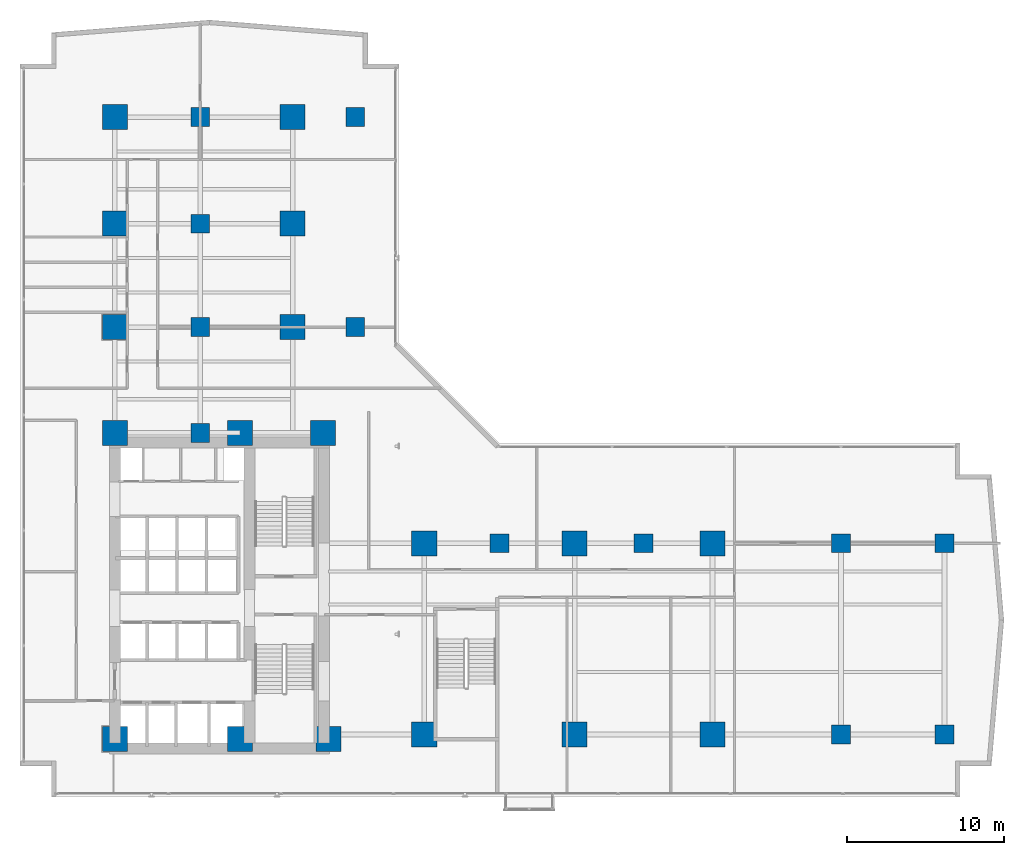
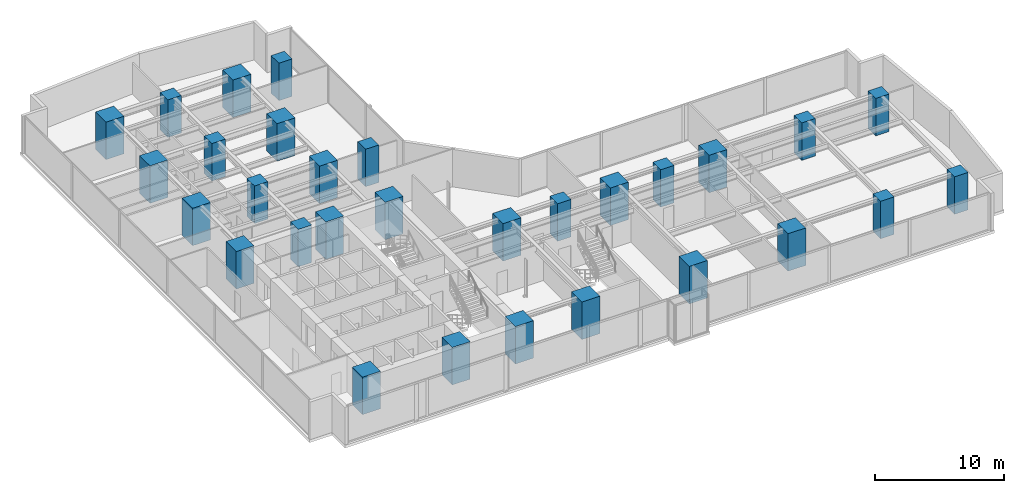
# One storey, part 1 of 31: 30 columns.
"""IFC4 building model written with IfcOpenShell, lengths in metres."""

from ifc_helpers import new_model, si_unit, direction, frame, origin, origin_2d, place, context, subcontext, project, spatial, rectangle, extrude, material, material_profile, profile_set, type_object, element, save


model = new_model("IFC4")

# Units and contexts
model_context = context("Model", 3, precision=1e-05, world=origin(), true_north=direction((0.0, 1.0)))
body_context = subcontext(model_context, "Body", "Model", "MODEL_VIEW")
ifc_project = project(units=[si_unit("LENGTHUNIT", "METRE"), si_unit("AREAUNIT", "SQUARE_METRE"), si_unit("VOLUMEUNIT", "CUBIC_METRE"), si_unit("PLANEANGLEUNIT", "RADIAN"), si_unit("MASSUNIT", "GRAM", prefix="KILO")], contexts=[model_context])

# Site, building, storey
site_placement = place(None, origin())
site = spatial("IfcSite", under=ifc_project, at=site_placement, CompositionType="ELEMENT")
building_placement = place(site_placement, origin())
building = spatial("IfcBuilding", under=site, at=building_placement, Name="Kolvaren Waterfront Exchange", CompositionType="ELEMENT")
storey_placement = place(building_placement, frame((0.0, 0.0, 67.60009765625)))
storey = spatial("IfcBuildingStorey", under=building, at=storey_placement, Name="L17", CompositionType="ELEMENT", Elevation=67.60009765625)

# Columns
ifc_material = material(Name="Concrete C70/85", Category="concrete")
ifc_material_profile_1 = material_profile(ifc_material, rectangle(XDim=1.199951171875, YDim=1.199951171875, at=origin_2d()), Name="RC-COL-1200x1200")
ifc_profile_set_1 = profile_set([ifc_material_profile_1], Name="Concrete C70/85")
column_type_1 = type_object("IfcColumnType", Name="STR-COL-1200-C70", PredefinedType="COLUMN", material=ifc_profile_set_1)
for number, where, z_axis, x_axis, name in (
    (1, (53.800048828125, 5.199951171875, 0.0), (0.0, 0.0, 1.0), (1.0, 0.0, 0.0), "L17 column ZC01"),
    (2, (53.800048828125, 17.39990234375, 0.0), (0.0, 0.0, 1.0), (1.0, 0.0, 0.0), "L17 column ZC02"),
    (3, (60.39990234375, 5.199951171875, 0.0), (0.0, 0.0, 1.0), (1.0, 0.0, 0.0), "L17 column ZC03"),
    (4, (60.39990234375, 17.39990234375, 0.0), (0.0, 0.0, 1.0), (1.0, 0.0, 0.0), "L17 column ZC04"),
    (5, (22.800048828125, 31.199951171875, 0.0), (0.0, 0.0, 1.0), (1.0, 0.0, 0.0), "L17 column ZC05"),
    (6, (22.800048828125, 44.60009765625, 0.0), (0.0, 0.0, 1.0), (1.0, 0.0, 0.0), "L17 column ZC06"),
    (7, (12.89990234375, 24.449951171875, 0.0), (0.0, 0.0, 1.0), (1.0, 0.0, 0.0), "L17 column TC01"),
    (8, (12.89990234375, 31.199951171875, 0.0), (0.0, 0.0, 1.0), (1.0, 0.0, 0.0), "L17 column TC02"),
    (9, (12.89990234375, 37.800048828125, 0.0), (0.0, 0.0, 1.0), (1.0, 0.0, 0.0), "L17 column TC03"),
    (10, (12.89990234375, 44.60009765625, 0.0), (0.0, 0.0, 1.0), (1.0, 0.0, 0.0), "L17 column TC04"),
    (11, (32.0, 17.39990234375, 0.0), (0.0, 0.0, 1.0), (1.0, 0.0, 0.0), "L17 column TC05"),
    (12, (41.199951171875, 17.39990234375, 0.0), (0.0, 0.0, 1.0), (1.0, 0.0, 0.0), "L17 column TC06"),
):
    element("IfcColumn", number, at=place(storey_placement, frame(where, z_axis=z_axis, x_axis=x_axis)), inside=storey, type_object=column_type_1, Name=name, PredefinedType="COLUMN", context=body_context, shape_type="SweptSolid", body=[
        extrude(rectangle(XDim=1.199951171875, YDim=1.199951171875, at=origin_2d()), origin(), (0.0, 0.0, 1.0), 3.539794921875),
    ])
ifc_material_profile_2 = material_profile(ifc_material, rectangle(XDim=1.60009765625, YDim=1.60009765625, at=origin_2d()), Name="RC-COL-1600x1600")
ifc_profile_set_2 = profile_set([ifc_material_profile_2], Name="Concrete C70/85")
column_type_2 = type_object("IfcColumnType", Name="STR-COL-1600-C70", PredefinedType="COLUMN", material=ifc_profile_set_2)
for number, where, z_axis, x_axis, name in (
    (13, (7.449951171875, 4.89990234375, 0.0), (0.0, 0.0, 1.0), (1.0, 0.0, 0.0), "L17 column MC01"),
    (14, (15.449951171875, 4.89990234375, 0.0), (0.0, 0.0, 1.0), (1.0, 0.0, 0.0), "L17 column MC02"),
    (15, (21.10009765625, 4.89990234375, 0.0), (0.0, 0.0, 1.0), (1.0, 0.0, 0.0), "L17 column MC03"),
    (16, (7.449951171875, 24.449951171875, 0.0), (0.0, 0.0, 1.0), (1.0, 0.0, 0.0), "L17 column MC04"),
    (17, (15.449951171875, 24.449951171875, 0.0), (0.0, 0.0, 1.0), (1.0, 0.0, 0.0), "L17 column MC05"),
    (18, (20.75, 24.449951171875, 0.0), (0.0, 0.0, 1.0), (1.0, 0.0, 0.0), "L17 column MC06"),
    (19, (7.449951171875, 31.199951171875, 0.0), (0.0, 0.0, 1.0), (1.0, 0.0, 0.0), "L17 column NC01"),
    (20, (7.449951171875, 37.800048828125, 0.0), (0.0, 0.0, 1.0), (1.0, 0.0, 0.0), "L17 column NC02"),
    (21, (7.449951171875, 44.60009765625, 0.0), (0.0, 0.0, 1.0), (1.0, 0.0, 0.0), "L17 column NC03"),
    (22, (18.800048828125, 31.199951171875, 0.0), (0.0, 0.0, 1.0), (1.0, 0.0, 0.0), "L17 column NC04"),
    (23, (18.800048828125, 37.800048828125, 0.0), (0.0, 0.0, 1.0), (1.0, 0.0, 0.0), "L17 column NC05"),
    (24, (18.800048828125, 44.60009765625, 0.0), (0.0, 0.0, 1.0), (1.0, 0.0, 0.0), "L17 column NC06"),
    (25, (27.199951171875, 5.199951171875, 0.0), (0.0, 0.0, 1.0), (1.0, 0.0, 0.0), "L17 column EC01"),
    (26, (36.800048828125, 5.199951171875, 0.0), (0.0, 0.0, 1.0), (1.0, 0.0, 0.0), "L17 column EC02"),
    (27, (45.60009765625, 5.199951171875, 0.0), (0.0, 0.0, 1.0), (1.0, 0.0, 0.0), "L17 column EC03"),
    (28, (27.199951171875, 17.39990234375, 0.0), (0.0, 0.0, 1.0), (1.0, 0.0, 0.0), "L17 column EC04"),
    (29, (36.800048828125, 17.39990234375, 0.0), (0.0, 0.0, 1.0), (1.0, 0.0, 0.0), "L17 column EC05"),
    (30, (45.60009765625, 17.39990234375, 0.0), (0.0, 0.0, 1.0), (1.0, 0.0, 0.0), "L17 column EC06"),
):
    element("IfcColumn", number, at=place(storey_placement, frame(where, z_axis=z_axis, x_axis=x_axis)), inside=storey, type_object=column_type_2, Name=name, PredefinedType="COLUMN", context=body_context, shape_type="SweptSolid", body=[
        extrude(rectangle(XDim=1.60009765625, YDim=1.60009765625, at=origin_2d()), origin(), (0.0, 0.0, 1.0), 3.539794921875),
    ])

save(model, "model.ifc")
